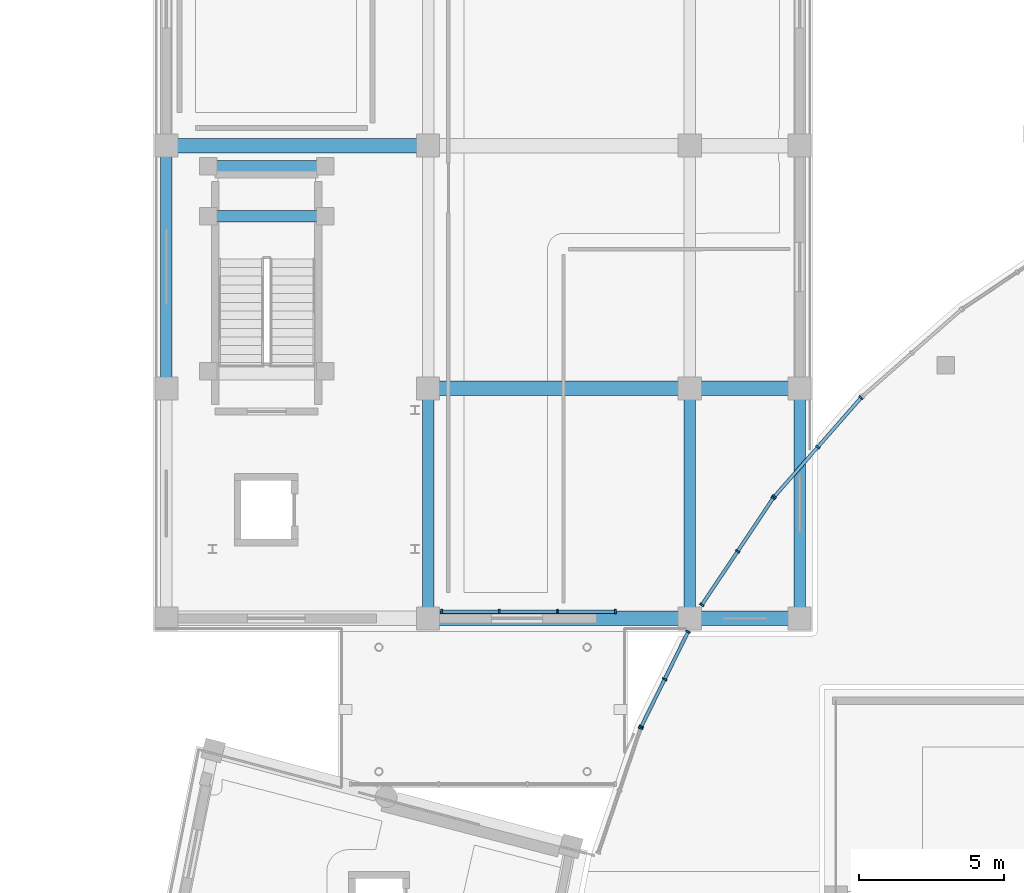
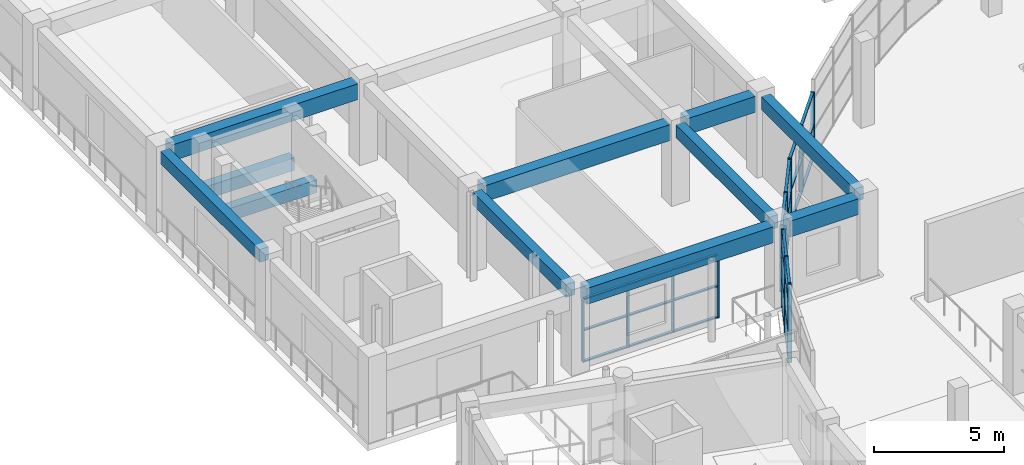
# One storey, part 28 of 87: 43 members, 11 beams, 5 elements without a shape of their own.
"""IFC4 building model written with IfcOpenShell, lengths in metres."""

from ifc_helpers import new_model, si_unit, direction, frame, origin, origin_2d, place, context, subcontext, project, spatial, rectangle, extrude, material, material_profile, profile_set, type_object, element, aggregate, save


model = new_model("IFC4")

# Units and contexts
model_context = context("Model", 3, precision=1e-05, world=origin(), true_north=direction((0.0, 1.0)))
body_context = subcontext(model_context, "Body", "Model", "MODEL_VIEW")
ifc_project = project(units=[si_unit("LENGTHUNIT", "METRE"), si_unit("AREAUNIT", "SQUARE_METRE"), si_unit("VOLUMEUNIT", "CUBIC_METRE"), si_unit("PLANEANGLEUNIT", "RADIAN"), si_unit("MASSUNIT", "GRAM", prefix="KILO")], contexts=[model_context])

# Site, building, storey
site_placement = place(None, origin())
site = spatial("IfcSite", under=ifc_project, at=site_placement, CompositionType="ELEMENT")
building_placement = place(site_placement, origin())
building = spatial("IfcBuilding", under=site, at=building_placement, Name="Saryqyr Civic Hall", CompositionType="ELEMENT")
storey_placement = place(building_placement, frame((0.0, 0.0, 5.10009765625)))
storey = spatial("IfcBuildingStorey", under=building, at=storey_placement, Name="L01", CompositionType="ELEMENT", Elevation=5.10009765625)

# Curtain wall, members
ifc_material_1 = material(Name="Anodised aluminium and triple low-E glass", Category="aluminium")
curtain_wall_type_1 = type_object("IfcCurtainWallType", Name="ENV-CW-STD-75", PredefinedType="NOTDEFINED", material=ifc_material_1)
curtain_wall_1_placement = place(storey_placement, origin())
curtain_wall_1 = element("IfcCurtainWall", 1, at=curtain_wall_1_placement, inside=storey, type_object=curtain_wall_type_1, Name="Curtain wall V2-PERIM-CW-L01-18", PredefinedType="NOTDEFINED")
ifc_material_2 = material(Name="Anodised aluminium", Category="aluminium")
ifc_material_profile_1 = material_profile(ifc_material_2, rectangle(XDim=0.06005859375, YDim=0.159912109375, at=origin_2d()), Name="ALU MULLION 60x160")
ifc_profile_set_1 = profile_set([ifc_material_profile_1], Name="Anodised aluminium")
member_type_1 = type_object("IfcMemberType", Name="ENV-CW-MUL-180", PredefinedType="MULLION", material=ifc_profile_set_1)
member_1_placement = place(storey_placement, frame((29.077880859375, 105.463134765625, 0.0), z_axis=(0.0, 0.0, 1.0), x_axis=(0.659347854951, 0.751838018573, 0.0)))
member_1 = element("IfcMember", 2, at=member_1_placement, type_object=member_type_1, Name="CW-75 mullion 1", PredefinedType="MULLION", context=body_context, shape_type="SweptSolid", body=[
    extrude(rectangle(XDim=0.06005859375, YDim=0.159912109375, at=origin_2d()), origin(), (0.0, 0.0, 1.0), 3.14501953125),
])
member_2_placement = place(storey_placement, frame((30.576904296875, 107.17236328125, 0.0), z_axis=(0.0, 0.0, 1.0), x_axis=(0.659347854951, 0.751838018573, 0.0)))
member_2 = element("IfcMember", 3, at=member_2_placement, type_object=member_type_1, Name="CW-75 mullion 2", PredefinedType="MULLION", context=body_context, shape_type="SweptSolid", body=[
    extrude(rectangle(XDim=0.06005859375, YDim=0.159912109375, at=origin_2d()), origin(), (0.0, 0.0, 1.0), 3.14501953125),
])
member_3_placement = place(storey_placement, frame((32.075927734375, 108.8818359375, 0.0), z_axis=(0.0, 0.0, 1.0), x_axis=(0.659347854951, 0.751838018573, 0.0)))
member_3 = element("IfcMember", 4, at=member_3_placement, type_object=member_type_1, Name="CW-75 mullion 3", PredefinedType="MULLION", context=body_context, shape_type="SweptSolid", body=[
    extrude(rectangle(XDim=0.06005859375, YDim=0.159912109375, at=origin_2d()), origin(), (0.0, 0.0, 1.0), 3.14501953125),
])

curtain_wall_type_2 = type_object("IfcCurtainWallType", Name="ENV-CW-STD-76", PredefinedType="NOTDEFINED", material=ifc_material_1)
curtain_wall_2_placement = place(storey_placement, origin())
curtain_wall_2 = element("IfcCurtainWall", 5, at=curtain_wall_2_placement, inside=storey, type_object=curtain_wall_type_2, Name="Curtain wall V2-PERIM-CW-L01-19", PredefinedType="NOTDEFINED")
member_4_placement = place(storey_placement, frame((26.56884765625, 101.71484375, 0.0), z_axis=(0.0, 0.0, 1.0), x_axis=(0.55555938193, 0.831476862666, 0.0)))
member_4 = element("IfcMember", 6, at=member_4_placement, type_object=member_type_1, Name="CW-76 mullion 1", PredefinedType="MULLION", context=body_context, shape_type="SweptSolid", body=[
    extrude(rectangle(XDim=0.06005859375, YDim=0.159912109375, at=origin_2d()), origin(), (0.0, 0.0, 1.0), 3.14501953125),
])
member_5_placement = place(storey_placement, frame((27.80517578125, 103.565185546875, 0.0), z_axis=(0.0, 0.0, 1.0), x_axis=(0.55555938193, 0.831476862666, 0.0)))
member_5 = element("IfcMember", 7, at=member_5_placement, type_object=member_type_1, Name="CW-76 mullion 2", PredefinedType="MULLION", context=body_context, shape_type="SweptSolid", body=[
    extrude(rectangle(XDim=0.06005859375, YDim=0.159912109375, at=origin_2d()), origin(), (0.0, 0.0, 1.0), 3.14501953125),
])
member_6_placement = place(storey_placement, frame((29.04150390625, 105.415771484375, 0.0), z_axis=(0.0, 0.0, 1.0), x_axis=(0.55555938193, 0.831476862666, 0.0)))
member_6 = element("IfcMember", 8, at=member_6_placement, type_object=member_type_1, Name="CW-76 mullion 3", PredefinedType="MULLION", context=body_context, shape_type="SweptSolid", body=[
    extrude(rectangle(XDim=0.06005859375, YDim=0.159912109375, at=origin_2d()), origin(), (0.0, 0.0, 1.0), 3.14501953125),
])

curtain_wall_type_3 = type_object("IfcCurtainWallType", Name="ENV-CW-STD-45", PredefinedType="NOTDEFINED", material=ifc_material_1)
curtain_wall_3_placement = place(storey_placement, origin())
curtain_wall_3 = element("IfcCurtainWall", 9, at=curtain_wall_3_placement, inside=storey, type_object=curtain_wall_type_3, Name="Curtain wall V2-PERIM-CW-L01-20", PredefinedType="NOTDEFINED")
member_7_placement = place(storey_placement, frame((24.474365234375, 97.505126953125, 0.0), z_axis=(0.0, 0.0, 1.0), x_axis=(0.442286255428, 0.896873942235, 0.0)))
member_7 = element("IfcMember", 10, at=member_7_placement, type_object=member_type_1, Name="CW-45 mullion 1", PredefinedType="MULLION", context=body_context, shape_type="SweptSolid", body=[
    extrude(rectangle(XDim=0.06005859375, YDim=0.159912109375, at=origin_2d()), origin(), (0.0, 0.0, 1.0), 3.699951171875),
])
member_8_placement = place(storey_placement, frame((25.282470703125, 99.14404296875, 0.0), z_axis=(0.0, 0.0, 1.0), x_axis=(0.442286255428, 0.896873942235, 0.0)))
member_8 = element("IfcMember", 11, at=member_8_placement, type_object=member_type_1, Name="CW-45 mullion 2", PredefinedType="MULLION", context=body_context, shape_type="SweptSolid", body=[
    extrude(rectangle(XDim=0.06005859375, YDim=0.159912109375, at=origin_2d()), origin(), (0.0, 0.0, 1.0), 3.699951171875),
])
member_9_placement = place(storey_placement, frame((26.0908203125, 100.783203125, 0.0), z_axis=(0.0, 0.0, 1.0), x_axis=(0.442286255428, 0.896873942235, 0.0)))
member_9 = element("IfcMember", 12, at=member_9_placement, type_object=member_type_1, Name="CW-45 mullion 3", PredefinedType="MULLION", context=body_context, shape_type="SweptSolid", body=[
    extrude(rectangle(XDim=0.06005859375, YDim=0.159912109375, at=origin_2d()), origin(), (0.0, 0.0, 1.0), 3.699951171875),
])

# Curtain wall, member
curtain_wall_type_4 = type_object("IfcCurtainWallType", Name="ENV-CW-STD-74", PredefinedType="NOTDEFINED", material=ifc_material_1)
curtain_wall_4_placement = place(storey_placement, origin())
curtain_wall_4 = element("IfcCurtainWall", 13, at=curtain_wall_4_placement, inside=storey, type_object=curtain_wall_type_4, Name="Curtain wall V2-PERIM-CW-L01-21", PredefinedType="NOTDEFINED")
member_10_placement = place(storey_placement, frame((24.451416015625, 97.44970703125, 0.0), z_axis=(0.0, 0.0, 1.0), x_axis=(0.321445459178, 0.946928094828, 0.0)))
member_10 = element("IfcMember", 14, at=member_10_placement, type_object=member_type_1, Name="CW-74 mullion 3", PredefinedType="MULLION", context=body_context, shape_type="SweptSolid", body=[
    extrude(rectangle(XDim=0.06005859375, YDim=0.159912109375, at=origin_2d()), origin(), (0.0, 0.0, 1.0), 3.699951171875),
])
aggregate(curtain_wall_4, [member_10])

# Curtain wall, members
curtain_wall_type_5 = type_object("IfcCurtainWallType", Name="ENV-CW-STD-85", PredefinedType="NOTDEFINED", material=ifc_material_1)
curtain_wall_5_placement = place(storey_placement, origin())
curtain_wall_5 = element("IfcCurtainWall", 15, at=curtain_wall_5_placement, inside=storey, type_object=curtain_wall_type_5, Name="Curtain wall BR-NW-CW2-L01", PredefinedType="NOTDEFINED")
member_11_placement = place(storey_placement, frame((17.570068359375, 101.47998046875, 0.0), z_axis=(0.0, 0.0, 1.0), x_axis=(1.0, 0.0, 0.0)))
member_11 = element("IfcMember", 16, at=member_11_placement, type_object=member_type_1, Name="CW-85 mullion 1", PredefinedType="MULLION", context=body_context, shape_type="SweptSolid", body=[
    extrude(rectangle(XDim=0.06005859375, YDim=0.159912109375, at=origin_2d()), origin(), (0.0, 0.0, 1.0), 2.994873046875),
])
member_12_placement = place(storey_placement, frame((19.56005859375, 101.47998046875, 0.0), z_axis=(0.0, 0.0, 1.0), x_axis=(1.0, 0.0, 0.0)))
member_12 = element("IfcMember", 17, at=member_12_placement, type_object=member_type_1, Name="CW-85 mullion 2", PredefinedType="MULLION", context=body_context, shape_type="SweptSolid", body=[
    extrude(rectangle(XDim=0.06005859375, YDim=0.159912109375, at=origin_2d()), origin(), (0.0, 0.0, 1.0), 2.994873046875),
])
member_13_placement = place(storey_placement, frame((21.580078125, 101.47998046875, 0.0), z_axis=(0.0, 0.0, 1.0), x_axis=(1.0, 0.0, 0.0)))
member_13 = element("IfcMember", 18, at=member_13_placement, type_object=member_type_1, Name="CW-85 mullion 3", PredefinedType="MULLION", context=body_context, shape_type="SweptSolid", body=[
    extrude(rectangle(XDim=0.06005859375, YDim=0.159912109375, at=origin_2d()), origin(), (0.0, 0.0, 1.0), 2.994873046875),
])
member_14_placement = place(storey_placement, frame((23.570068359375, 101.47998046875, 0.0), z_axis=(0.0, 0.0, 1.0), x_axis=(1.0, 0.0, 0.0)))
member_14 = element("IfcMember", 19, at=member_14_placement, type_object=member_type_1, Name="CW-85 mullion 4", PredefinedType="MULLION", context=body_context, shape_type="SweptSolid", body=[
    extrude(rectangle(XDim=0.06005859375, YDim=0.159912109375, at=origin_2d()), origin(), (0.0, 0.0, 1.0), 2.994873046875),
])

# Member
ifc_material_profile_2 = material_profile(ifc_material_2, rectangle(XDim=0.1201171875, YDim=0.06005859375, at=origin_2d()), Name="ALU TRANSOM 120x60")
ifc_profile_set_2 = profile_set([ifc_material_profile_2], Name="Anodised aluminium")
member_type_2 = type_object("IfcMemberType", Name="ENV-CW-TRN-150", PredefinedType="USERDEFINED", material=ifc_profile_set_2)
member_15_placement = place(storey_placement, frame((29.09765625, 105.485595703125, 0.02978515625), z_axis=(0.659324084984, 0.751858863723, 0.0), x_axis=(-0.751858863723, 0.659324084984, 0.0)))
member_15 = element("IfcMember", 20, at=member_15_placement, type_object=member_type_2, Name="CW-75 transom 1.1", ObjectType="TRANSOM", PredefinedType="USERDEFINED", context=body_context, shape_type="SweptSolid", body=[
    extrude(rectangle(XDim=0.1201171875, YDim=0.06005859375, at=origin_2d()), origin(), (0.0, 0.0, 1.0), 2.213623046875),
])

member_16_placement = place(storey_placement, frame((29.09765625, 105.485595703125, 1.572021484375), z_axis=(0.659324084984, 0.751858863723, 0.0), x_axis=(-0.751858863723, 0.659324084984, 0.0)))
member_16 = element("IfcMember", 21, at=member_16_placement, type_object=member_type_2, Name="CW-75 transom 1.2", ObjectType="TRANSOM", PredefinedType="USERDEFINED", context=body_context, shape_type="SweptSolid", body=[
    extrude(rectangle(XDim=0.1201171875, YDim=0.06005859375, at=origin_2d()), origin(), (0.0, 0.0, 1.0), 2.213623046875),
])

member_17_placement = place(storey_placement, frame((29.09765625, 105.485595703125, 3.114990234375), z_axis=(0.659324084984, 0.751858863723, 0.0), x_axis=(-0.751858863723, 0.659324084984, 0.0)))
member_17 = element("IfcMember", 22, at=member_17_placement, type_object=member_type_2, Name="CW-75 transom 1.3", ObjectType="TRANSOM", PredefinedType="USERDEFINED", context=body_context, shape_type="SweptSolid", body=[
    extrude(rectangle(XDim=0.1201171875, YDim=0.06005859375, at=origin_2d()), origin(), (0.0, 0.0, 1.0), 2.213623046875),
])

member_18_placement = place(storey_placement, frame((30.5966796875, 107.195068359375, 0.02978515625), z_axis=(0.659378761453, 0.751810913025, 0.0), x_axis=(-0.751810913025, 0.659378761453, 0.0)))
member_18 = element("IfcMember", 23, at=member_18_placement, type_object=member_type_2, Name="CW-75 transom 2.1", ObjectType="TRANSOM", PredefinedType="USERDEFINED", context=body_context, shape_type="SweptSolid", body=[
    extrude(rectangle(XDim=0.1201171875, YDim=0.06005859375, at=origin_2d()), origin(), (0.0, 0.0, 1.0), 2.21337890625),
])

member_19_placement = place(storey_placement, frame((30.5966796875, 107.195068359375, 1.572021484375), z_axis=(0.659378761453, 0.751810913025, 0.0), x_axis=(-0.751810913025, 0.659378761453, 0.0)))
member_19 = element("IfcMember", 24, at=member_19_placement, type_object=member_type_2, Name="CW-75 transom 2.2", ObjectType="TRANSOM", PredefinedType="USERDEFINED", context=body_context, shape_type="SweptSolid", body=[
    extrude(rectangle(XDim=0.1201171875, YDim=0.06005859375, at=origin_2d()), origin(), (0.0, 0.0, 1.0), 2.21337890625),
])

member_20_placement = place(storey_placement, frame((30.5966796875, 107.195068359375, 3.114990234375), z_axis=(0.659378761453, 0.751810913025, 0.0), x_axis=(-0.751810913025, 0.659378761453, 0.0)))
member_20 = element("IfcMember", 25, at=member_20_placement, type_object=member_type_2, Name="CW-75 transom 2.3", ObjectType="TRANSOM", PredefinedType="USERDEFINED", context=body_context, shape_type="SweptSolid", body=[
    extrude(rectangle(XDim=0.1201171875, YDim=0.06005859375, at=origin_2d()), origin(), (0.0, 0.0, 1.0), 2.21337890625),
])

aggregate(curtain_wall_1, [member_1, member_2, member_3, member_15, member_16, member_17, member_18, member_19, member_20])

member_21_placement = place(storey_placement, frame((26.58544921875, 101.739990234375, 0.02978515625), z_axis=(0.555558596258, 0.83147738762, 0.0), x_axis=(-0.83147738762, 0.555558596258, 0.0)))
member_21 = element("IfcMember", 26, at=member_21_placement, type_object=member_type_2, Name="CW-76 transom 1.1", ObjectType="TRANSOM", PredefinedType="USERDEFINED", context=body_context, shape_type="SweptSolid", body=[
    extrude(rectangle(XDim=0.1201171875, YDim=0.06005859375, at=origin_2d()), origin(), (0.0, 0.0, 1.0), 2.165283203125),
])

member_22_placement = place(storey_placement, frame((26.58544921875, 101.739990234375, 1.572021484375), z_axis=(0.555558596258, 0.83147738762, 0.0), x_axis=(-0.83147738762, 0.555558596258, 0.0)))
member_22 = element("IfcMember", 27, at=member_22_placement, type_object=member_type_2, Name="CW-76 transom 1.2", ObjectType="TRANSOM", PredefinedType="USERDEFINED", context=body_context, shape_type="SweptSolid", body=[
    extrude(rectangle(XDim=0.1201171875, YDim=0.06005859375, at=origin_2d()), origin(), (0.0, 0.0, 1.0), 2.165283203125),
])

member_23_placement = place(storey_placement, frame((26.58544921875, 101.739990234375, 3.114990234375), z_axis=(0.555558596258, 0.83147738762, 0.0), x_axis=(-0.83147738762, 0.555558596258, 0.0)))
member_23 = element("IfcMember", 28, at=member_23_placement, type_object=member_type_2, Name="CW-76 transom 1.3", ObjectType="TRANSOM", PredefinedType="USERDEFINED", context=body_context, shape_type="SweptSolid", body=[
    extrude(rectangle(XDim=0.1201171875, YDim=0.06005859375, at=origin_2d()), origin(), (0.0, 0.0, 1.0), 2.165283203125),
])

member_24_placement = place(storey_placement, frame((27.82177734375, 103.59033203125, 0.02978515625), z_axis=(0.555558596258, 0.83147738762, 0.0), x_axis=(-0.83147738762, 0.555558596258, 0.0)))
member_24 = element("IfcMember", 29, at=member_24_placement, type_object=member_type_2, Name="CW-76 transom 2.1", ObjectType="TRANSOM", PredefinedType="USERDEFINED", context=body_context, shape_type="SweptSolid", body=[
    extrude(rectangle(XDim=0.1201171875, YDim=0.06005859375, at=origin_2d()), origin(), (0.0, 0.0, 1.0), 2.165283203125),
])

member_25_placement = place(storey_placement, frame((27.82177734375, 103.59033203125, 1.572021484375), z_axis=(0.555558596258, 0.83147738762, 0.0), x_axis=(-0.83147738762, 0.555558596258, 0.0)))
member_25 = element("IfcMember", 30, at=member_25_placement, type_object=member_type_2, Name="CW-76 transom 2.2", ObjectType="TRANSOM", PredefinedType="USERDEFINED", context=body_context, shape_type="SweptSolid", body=[
    extrude(rectangle(XDim=0.1201171875, YDim=0.06005859375, at=origin_2d()), origin(), (0.0, 0.0, 1.0), 2.165283203125),
])

member_26_placement = place(storey_placement, frame((27.82177734375, 103.59033203125, 3.114990234375), z_axis=(0.555558596258, 0.83147738762, 0.0), x_axis=(-0.83147738762, 0.555558596258, 0.0)))
member_26 = element("IfcMember", 31, at=member_26_placement, type_object=member_type_2, Name="CW-76 transom 2.3", ObjectType="TRANSOM", PredefinedType="USERDEFINED", context=body_context, shape_type="SweptSolid", body=[
    extrude(rectangle(XDim=0.1201171875, YDim=0.06005859375, at=origin_2d()), origin(), (0.0, 0.0, 1.0), 2.165283203125),
])

aggregate(curtain_wall_2, [member_4, member_5, member_6, member_21, member_22, member_23, member_24, member_25, member_26])

member_27_placement = place(storey_placement, frame((24.487548828125, 97.531982421875, 0.02978515625), z_axis=(0.442289440065, 0.896872371749, 0.0), x_axis=(-0.896872371749, 0.442289440065, 0.0)))
member_27 = element("IfcMember", 32, at=member_27_placement, type_object=member_type_2, Name="CW-45 transom 1.1", ObjectType="TRANSOM", PredefinedType="USERDEFINED", context=body_context, shape_type="SweptSolid", body=[
    extrude(rectangle(XDim=0.1201171875, YDim=0.06005859375, at=origin_2d()), origin(), (0.0, 0.0, 1.0), 1.767578125),
])

member_28_placement = place(storey_placement, frame((24.487548828125, 97.531982421875, 1.331787109375), z_axis=(0.442289440065, 0.896872371749, 0.0), x_axis=(-0.896872371749, 0.442289440065, 0.0)))
member_28 = element("IfcMember", 33, at=member_28_placement, type_object=member_type_2, Name="CW-45 transom 1.2", ObjectType="TRANSOM", PredefinedType="USERDEFINED", context=body_context, shape_type="SweptSolid", body=[
    extrude(rectangle(XDim=0.1201171875, YDim=0.06005859375, at=origin_2d()), origin(), (0.0, 0.0, 1.0), 1.767578125),
])

member_29_placement = place(storey_placement, frame((24.487548828125, 97.531982421875, 2.81201171875), z_axis=(0.442289440065, 0.896872371749, 0.0), x_axis=(-0.896872371749, 0.442289440065, 0.0)))
member_29 = element("IfcMember", 34, at=member_29_placement, type_object=member_type_2, Name="CW-45 transom 1.3", ObjectType="TRANSOM", PredefinedType="USERDEFINED", context=body_context, shape_type="SweptSolid", body=[
    extrude(rectangle(XDim=0.1201171875, YDim=0.06005859375, at=origin_2d()), origin(), (0.0, 0.0, 1.0), 1.767578125),
])

member_30_placement = place(storey_placement, frame((24.487548828125, 97.531982421875, 3.669921875), z_axis=(0.442289440065, 0.896872371749, 0.0), x_axis=(-0.896872371749, 0.442289440065, 0.0)))
member_30 = element("IfcMember", 35, at=member_30_placement, type_object=member_type_2, Name="CW-45 transom 1.4", ObjectType="TRANSOM", PredefinedType="USERDEFINED", context=body_context, shape_type="SweptSolid", body=[
    extrude(rectangle(XDim=0.1201171875, YDim=0.06005859375, at=origin_2d()), origin(), (0.0, 0.0, 1.0), 1.767578125),
])

member_31_placement = place(storey_placement, frame((25.2958984375, 99.1708984375, 0.02978515625), z_axis=(0.442289440065, 0.896872371749, 0.0), x_axis=(-0.896872371749, 0.442289440065, 0.0)))
member_31 = element("IfcMember", 36, at=member_31_placement, type_object=member_type_2, Name="CW-45 transom 2.1", ObjectType="TRANSOM", PredefinedType="USERDEFINED", context=body_context, shape_type="SweptSolid", body=[
    extrude(rectangle(XDim=0.1201171875, YDim=0.06005859375, at=origin_2d()), origin(), (0.0, 0.0, 1.0), 1.767578125),
])

member_32_placement = place(storey_placement, frame((25.2958984375, 99.1708984375, 1.331787109375), z_axis=(0.442289440065, 0.896872371749, 0.0), x_axis=(-0.896872371749, 0.442289440065, 0.0)))
member_32 = element("IfcMember", 37, at=member_32_placement, type_object=member_type_2, Name="CW-45 transom 2.2", ObjectType="TRANSOM", PredefinedType="USERDEFINED", context=body_context, shape_type="SweptSolid", body=[
    extrude(rectangle(XDim=0.1201171875, YDim=0.06005859375, at=origin_2d()), origin(), (0.0, 0.0, 1.0), 1.767578125),
])

member_33_placement = place(storey_placement, frame((25.2958984375, 99.1708984375, 2.81201171875), z_axis=(0.442289440065, 0.896872371749, 0.0), x_axis=(-0.896872371749, 0.442289440065, 0.0)))
member_33 = element("IfcMember", 38, at=member_33_placement, type_object=member_type_2, Name="CW-45 transom 2.3", ObjectType="TRANSOM", PredefinedType="USERDEFINED", context=body_context, shape_type="SweptSolid", body=[
    extrude(rectangle(XDim=0.1201171875, YDim=0.06005859375, at=origin_2d()), origin(), (0.0, 0.0, 1.0), 1.767578125),
])

member_34_placement = place(storey_placement, frame((25.2958984375, 99.1708984375, 3.669921875), z_axis=(0.442289440065, 0.896872371749, 0.0), x_axis=(-0.896872371749, 0.442289440065, 0.0)))
member_34 = element("IfcMember", 39, at=member_34_placement, type_object=member_type_2, Name="CW-45 transom 2.4", ObjectType="TRANSOM", PredefinedType="USERDEFINED", context=body_context, shape_type="SweptSolid", body=[
    extrude(rectangle(XDim=0.1201171875, YDim=0.06005859375, at=origin_2d()), origin(), (0.0, 0.0, 1.0), 1.767578125),
])

aggregate(curtain_wall_3, [member_7, member_8, member_9, member_27, member_28, member_29, member_30, member_31, member_32, member_33, member_34])

member_35_placement = place(storey_placement, frame((17.60009765625, 101.47998046875, 0.02978515625), z_axis=(1.0, 0.0, 0.0), x_axis=(0.0, 1.0, 0.0)))
member_35 = element("IfcMember", 40, at=member_35_placement, type_object=member_type_2, Name="CW-85 transom 1.1", ObjectType="TRANSOM", PredefinedType="USERDEFINED", context=body_context, shape_type="SweptSolid", body=[
    extrude(rectangle(XDim=0.1201171875, YDim=0.06005859375, at=origin_2d()), origin(), (0.0, 0.0, 1.0), 1.929931640625),
])

member_36_placement = place(storey_placement, frame((17.60009765625, 101.47998046875, 1.497802734375), z_axis=(1.0, 0.0, 0.0), x_axis=(0.0, 1.0, 0.0)))
member_36 = element("IfcMember", 41, at=member_36_placement, type_object=member_type_2, Name="CW-85 transom 1.2", ObjectType="TRANSOM", PredefinedType="USERDEFINED", context=body_context, shape_type="SweptSolid", body=[
    extrude(rectangle(XDim=0.1201171875, YDim=0.06005859375, at=origin_2d()), origin(), (0.0, 0.0, 1.0), 1.929931640625),
])

member_37_placement = place(storey_placement, frame((17.60009765625, 101.47998046875, 2.96484375), z_axis=(1.0, 0.0, 0.0), x_axis=(0.0, 1.0, 0.0)))
member_37 = element("IfcMember", 42, at=member_37_placement, type_object=member_type_2, Name="CW-85 transom 1.3", ObjectType="TRANSOM", PredefinedType="USERDEFINED", context=body_context, shape_type="SweptSolid", body=[
    extrude(rectangle(XDim=0.1201171875, YDim=0.06005859375, at=origin_2d()), origin(), (0.0, 0.0, 1.0), 1.929931640625),
])

member_38_placement = place(storey_placement, frame((19.590087890625, 101.47998046875, 0.02978515625), z_axis=(1.0, 0.0, 0.0), x_axis=(0.0, 1.0, 0.0)))
member_38 = element("IfcMember", 43, at=member_38_placement, type_object=member_type_2, Name="CW-85 transom 2.1", ObjectType="TRANSOM", PredefinedType="USERDEFINED", context=body_context, shape_type="SweptSolid", body=[
    extrude(rectangle(XDim=0.1201171875, YDim=0.06005859375, at=origin_2d()), origin(), (0.0, 0.0, 1.0), 1.9599609375),
])

member_39_placement = place(storey_placement, frame((19.590087890625, 101.47998046875, 1.497802734375), z_axis=(1.0, 0.0, 0.0), x_axis=(0.0, 1.0, 0.0)))
member_39 = element("IfcMember", 44, at=member_39_placement, type_object=member_type_2, Name="CW-85 transom 2.2", ObjectType="TRANSOM", PredefinedType="USERDEFINED", context=body_context, shape_type="SweptSolid", body=[
    extrude(rectangle(XDim=0.1201171875, YDim=0.06005859375, at=origin_2d()), origin(), (0.0, 0.0, 1.0), 1.9599609375),
])

member_40_placement = place(storey_placement, frame((19.590087890625, 101.47998046875, 2.96484375), z_axis=(1.0, 0.0, 0.0), x_axis=(0.0, 1.0, 0.0)))
member_40 = element("IfcMember", 45, at=member_40_placement, type_object=member_type_2, Name="CW-85 transom 2.3", ObjectType="TRANSOM", PredefinedType="USERDEFINED", context=body_context, shape_type="SweptSolid", body=[
    extrude(rectangle(XDim=0.1201171875, YDim=0.06005859375, at=origin_2d()), origin(), (0.0, 0.0, 1.0), 1.9599609375),
])

member_41_placement = place(storey_placement, frame((21.610107421875, 101.47998046875, 0.02978515625), z_axis=(1.0, 0.0, 0.0), x_axis=(0.0, 1.0, 0.0)))
member_41 = element("IfcMember", 46, at=member_41_placement, type_object=member_type_2, Name="CW-85 transom 3.1", ObjectType="TRANSOM", PredefinedType="USERDEFINED", context=body_context, shape_type="SweptSolid", body=[
    extrude(rectangle(XDim=0.1201171875, YDim=0.06005859375, at=origin_2d()), origin(), (0.0, 0.0, 1.0), 1.929931640625),
])

member_42_placement = place(storey_placement, frame((21.610107421875, 101.47998046875, 1.497802734375), z_axis=(1.0, 0.0, 0.0), x_axis=(0.0, 1.0, 0.0)))
member_42 = element("IfcMember", 47, at=member_42_placement, type_object=member_type_2, Name="CW-85 transom 3.2", ObjectType="TRANSOM", PredefinedType="USERDEFINED", context=body_context, shape_type="SweptSolid", body=[
    extrude(rectangle(XDim=0.1201171875, YDim=0.06005859375, at=origin_2d()), origin(), (0.0, 0.0, 1.0), 1.929931640625),
])

member_43_placement = place(storey_placement, frame((21.610107421875, 101.47998046875, 2.96484375), z_axis=(1.0, 0.0, 0.0), x_axis=(0.0, 1.0, 0.0)))
member_43 = element("IfcMember", 48, at=member_43_placement, type_object=member_type_2, Name="CW-85 transom 3.3", ObjectType="TRANSOM", PredefinedType="USERDEFINED", context=body_context, shape_type="SweptSolid", body=[
    extrude(rectangle(XDim=0.1201171875, YDim=0.06005859375, at=origin_2d()), origin(), (0.0, 0.0, 1.0), 1.929931640625),
])

aggregate(curtain_wall_5, [member_11, member_12, member_13, member_14, member_35, member_36, member_37, member_38, member_39, member_40, member_41, member_42, member_43])

# Beams
ifc_material_3 = material(Name="Concrete C35/45", Category="concrete")
ifc_material_profile_3 = material_profile(ifc_material_3, rectangle(XDim=0.39990234375, YDim=0.60009765625, at=origin_2d()), Name="RC 400x600")
ifc_profile_set_3 = profile_set([ifc_material_profile_3], Name="Concrete C35/45")
beam_type_1 = type_object("IfcBeamType", Name="STR-BM-RC400x600", PredefinedType="BEAM", material=ifc_profile_set_3)
beam_1_placement = place(storey_placement, frame((8.050048828125, 109.574951171875, 3.469970703125), z_axis=(0.0, 1.0, 0.0), x_axis=(-1.0, 0.0, 0.0)))
element("IfcBeam", 49, at=beam_1_placement, inside=storey, type_object=beam_type_1, Name="Beam V3-BM-NS-1-2-L01", PredefinedType="BEAM", context=body_context, shape_type="SweptSolid", body=[
    extrude(rectangle(XDim=0.39990234375, YDim=0.60009765625, at=origin_2d()), origin(), (0.0, 0.0, 1.0), 7.650146484375),
])
for number, where, z_axis, x_axis, name in (
    (50, (17.10009765625, 101.625, 3.469970703125), (0.0, 1.0, 0.0), (-1.0, 0.0, 0.0), "Beam V3-BM-NS-2-1-L01"),
    (51, (26.14990234375, 101.625, 3.469970703125), (0.0, 1.0, 0.0), (-1.0, 0.0, 0.0), "Beam V3-BM-NS-3-1-L01"),
    (52, (29.949951171875, 101.625, 3.469970703125), (0.0, 1.0, 0.0), (-1.0, 0.0, 0.0), "Beam V3-BM-NS-4-1-L01"),
):
    element("IfcBeam", number, at=place(storey_placement, frame(where, z_axis=z_axis, x_axis=x_axis)), inside=storey, type_object=beam_type_1, Name=name, PredefinedType="BEAM", context=body_context, shape_type="SweptSolid", body=[
        extrude(rectangle(XDim=0.39990234375, YDim=0.60009765625, at=origin_2d()), origin(), (0.0, 0.0, 1.0), 7.199951171875),
    ])
for number, where, z_axis, x_axis, name in (
    (53, (13.5, 115.14990234375, 1.52490234375), (-1.0, 0.0, 0.0), (0.0, -1.0, 0.0), "Stair half-landing support beam ST-3-LND1-L01"),
    (54, (13.5, 116.8798828125, 1.52490234375), (-1.0, 0.0, 0.0), (0.0, -1.0, 0.0), "Stair half-landing support beam ST-3-LND2-L01"),
):
    element("IfcBeam", number, at=place(storey_placement, frame(where, z_axis=z_axis, x_axis=x_axis)), inside=storey, type_object=beam_type_1, Name=name, PredefinedType="BEAM", context=body_context, shape_type="SweptSolid", body=[
        extrude(rectangle(XDim=0.39990234375, YDim=0.60009765625, at=origin_2d()), origin(), (0.0, 0.0, 1.0), 3.9599609375),
    ])
ifc_material_4 = material(Name="Concrete C40/50", Category="concrete")
ifc_material_profile_4 = material_profile(ifc_material_4, rectangle(XDim=0.5, YDim=0.75, at=origin_2d()), Name="RC 500x750")
ifc_profile_set_4 = profile_set([ifc_material_profile_4], Name="Concrete C40/50")
beam_type_2 = type_object("IfcBeamType", Name="STR-BM-RC500x750", PredefinedType="BEAM", material=ifc_profile_set_4)
beam_2_placement = place(storey_placement, frame((17.47509765625, 101.25, 3.39501953125), z_axis=(1.0, 0.0, 0.0), x_axis=(0.0, 1.0, 0.0)))
element("IfcBeam", 55, at=beam_2_placement, inside=storey, type_object=beam_type_2, Name="Beam V3-BM-EW-1-2-L01", PredefinedType="BEAM", context=body_context, shape_type="SweptSolid", body=[
    extrude(rectangle(XDim=0.5, YDim=0.75, at=origin_2d()), origin(), (0.0, 0.0, 1.0), 8.2998046875),
])
beam_3_placement = place(storey_placement, frame((26.52490234375, 101.25, 3.39501953125), z_axis=(1.0, 0.0, 0.0), x_axis=(0.0, 1.0, 0.0)))
element("IfcBeam", 56, at=beam_3_placement, inside=storey, type_object=beam_type_2, Name="Beam V3-BM-EW-1-3-L01", PredefinedType="BEAM", context=body_context, shape_type="SweptSolid", body=[
    extrude(rectangle(XDim=0.5, YDim=0.75, at=origin_2d()), origin(), (0.0, 0.0, 1.0), 3.050048828125),
])
beam_4_placement = place(storey_placement, frame((17.47509765625, 109.199951171875, 3.39501953125), z_axis=(1.0, 0.0, 0.0), x_axis=(0.0, 1.0, 0.0)))
element("IfcBeam", 57, at=beam_4_placement, inside=storey, type_object=beam_type_2, Name="Beam V3-BM-EW-2-2-L01", PredefinedType="BEAM", context=body_context, shape_type="SweptSolid", body=[
    extrude(rectangle(XDim=0.5, YDim=0.75, at=origin_2d()), origin(), (0.0, 0.0, 1.0), 8.2998046875),
])
beam_5_placement = place(storey_placement, frame((26.52490234375, 109.199951171875, 3.39501953125), z_axis=(1.0, 0.0, 0.0), x_axis=(0.0, 1.0, 0.0)))
element("IfcBeam", 58, at=beam_5_placement, inside=storey, type_object=beam_type_2, Name="Beam V3-BM-EW-2-3-L01", PredefinedType="BEAM", context=body_context, shape_type="SweptSolid", body=[
    extrude(rectangle(XDim=0.5, YDim=0.75, at=origin_2d()), origin(), (0.0, 0.0, 1.0), 3.050048828125),
])
beam_6_placement = place(storey_placement, frame((8.425048828125, 117.60009765625, 3.39501953125), z_axis=(1.0, 0.0, 0.0), x_axis=(0.0, 1.0, 0.0)))
element("IfcBeam", 59, at=beam_6_placement, inside=storey, type_object=beam_type_2, Name="Beam V3-BM-EW-3-1-L01", PredefinedType="BEAM", context=body_context, shape_type="SweptSolid", body=[
    extrude(rectangle(XDim=0.5, YDim=0.75, at=origin_2d()), origin(), (0.0, 0.0, 1.0), 8.300048828125),
])

save(model, "model.ifc")
